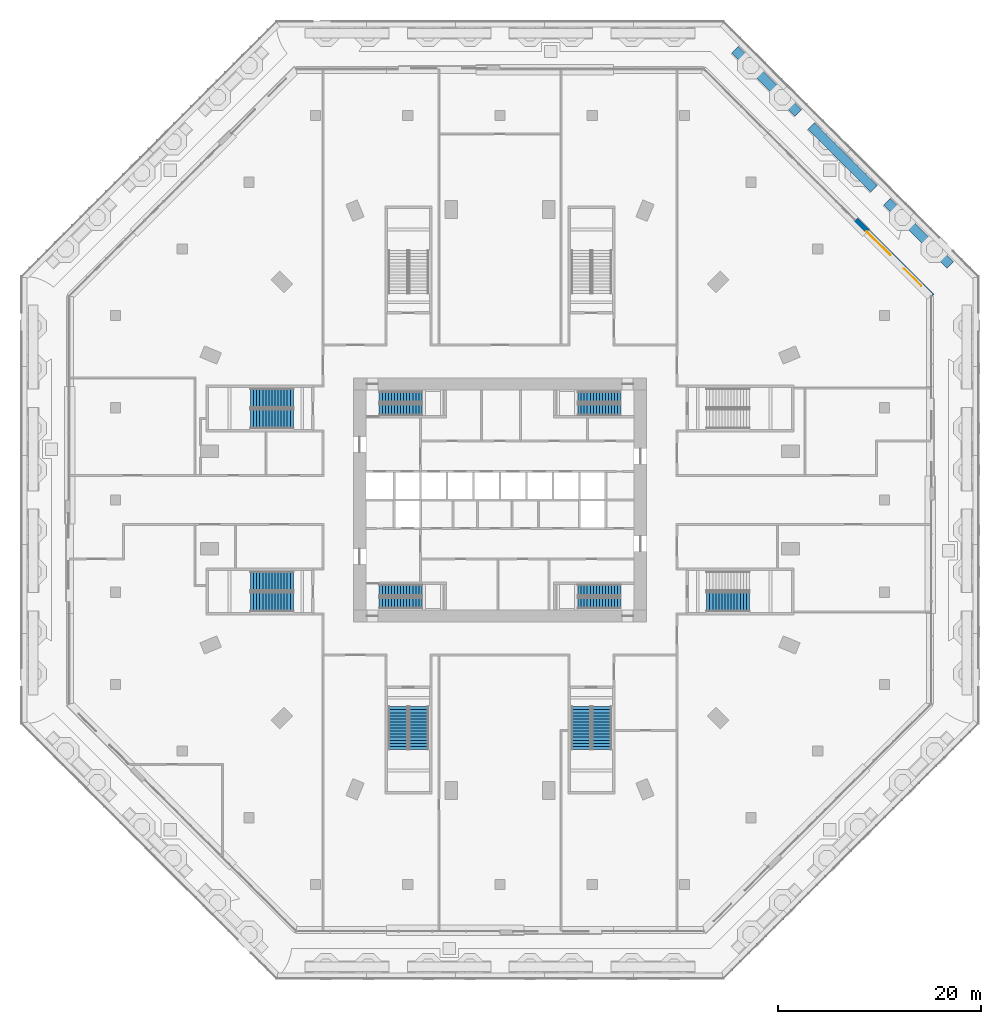
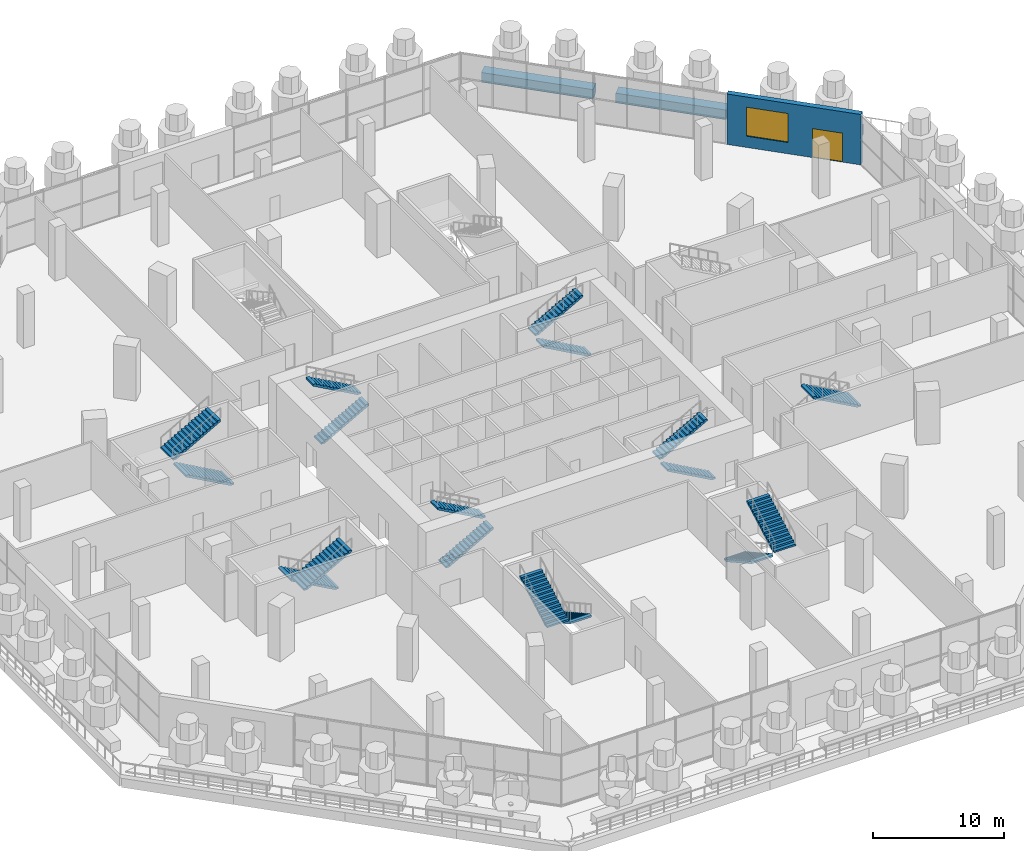
# One storey, part 27 of 32: 17 stair flights, 4 walls, 1 door, 1 window, 2 openings, 9 elements without a shape of their own.
"""IFC4 building model written with IfcOpenShell, lengths in metres."""

from ifc_helpers import new_model, si_unit, direction, frame, frame_2d, origin, place, context, subcontext, project, spatial, polyline, rectangle, outline, extrude, material, layer, layer_set, type_object, element, fill, aggregate, save


model = new_model("IFC4")

# Units and contexts
model_context = context("Model", 3, precision=1e-05, world=origin(), true_north=direction((0.0, 1.0)))
body_context = subcontext(model_context, "Body", "Model", "MODEL_VIEW")
ifc_project = project(units=[si_unit("LENGTHUNIT", "METRE"), si_unit("AREAUNIT", "SQUARE_METRE"), si_unit("VOLUMEUNIT", "CUBIC_METRE"), si_unit("PLANEANGLEUNIT", "RADIAN"), si_unit("MASSUNIT", "GRAM", prefix="KILO")], contexts=[model_context])

# Site, building, storey
site_placement = place(None, origin())
site = spatial("IfcSite", under=ifc_project, at=site_placement, CompositionType="ELEMENT")
building_placement = place(site_placement, origin())
building = spatial("IfcBuilding", under=site, at=building_placement, Name="Msitu Wima Residences", CompositionType="ELEMENT")
storey_placement = place(building_placement, frame((0.0, 0.0, 6.0)))
storey = spatial("IfcBuildingStorey", under=building, at=storey_placement, Name="L01", CompositionType="ELEMENT", Elevation=6.0)

# Wall, openings, door, window
ifc_material_1 = material(Name="Brick (red buff mix), cavity wall of two leaves", Category="masonry")
ifc_layer_1 = layer(ifc_material_1, 0.449951171875)
ifc_layer_set_1 = layer_set([ifc_layer_1], Name="Brick (red buff mix), cavity wall of two leaves")
wall_type_1 = type_object("IfcWallType", Name="Brick infill wall BW450 podium", PredefinedType="ELEMENTEDWALL", material=ifc_layer_set_1)
wall_1_placement = place(storey_placement, frame((42.52490234375, 20.0849609375, 0.0), z_axis=(0.0, 0.0, 1.0), x_axis=(-0.707106781187, 0.707106781187, 0.0)))
wall_1 = element("IfcWall", 1, at=wall_1_placement, inside=storey, type_object=wall_type_1, Name="Brick infill wall L01 NE0", PredefinedType="ELEMENTEDWALL", context=body_context, shape_type="SweptSolid", body=[
    extrude(rectangle(XDim=10.609375, YDim=0.449951171875, at=frame_2d((5.3046875, 0.0))), origin(), (0.0, 0.0, 1.0), 4.699951171875),
])
opening_1_placement = place(wall_1_placement, frame((1.452392578125, 0.0, 0.0)))
opening_1 = element("IfcOpeningElement", 2, at=opening_1_placement, cuts=wall_1, Name="Opening D01.003", PredefinedType="OPENING", context=body_context, shape_type="SweptSolid", body=[
    extrude(rectangle(XDim=2.39990234375, YDim=2.699951171875, at=frame_2d((1.199951171875, 1.35009765625))), frame((0.0, 0.23486328125, 0.0), z_axis=(0.0, -1.0, 0.0), x_axis=(1.0, 0.0, 0.0)), (0.0, 0.0, 1.0), 0.469970703125),
])
opening_2_placement = place(wall_1_placement, frame((5.754638671875, 0.0, 1.050048828125)))
opening_2 = element("IfcOpeningElement", 3, at=opening_2_placement, cuts=wall_1, Name="Opening W01.003", PredefinedType="OPENING", context=body_context, shape_type="SweptSolid", body=[
    extrude(rectangle(XDim=3.300048828125, YDim=2.699951171875, at=frame_2d((1.64990234375, 1.35009765625))), frame((0.0, 0.23486328125, 0.0), z_axis=(0.0, -1.0, 0.0), x_axis=(1.0, 0.0, 0.0)), (0.0, 0.0, 1.0), 0.469970703125),
])
ifc_material_2 = material(Name="Anodised aluminium, bronze finish, clear low-emissivity double glazing", Category="aluminium")
door_type = type_object("IfcDoorType", Name="Balcony door D2400x2700", OperationType="SLIDING_TO_LEFT", PredefinedType="DOOR", material=ifc_material_2)
door_placement = place(opening_1_placement, origin())
door = element("IfcDoor", 4, at=door_placement, inside=storey, type_object=door_type, Name="Terrace door L01 NE0", OperationType="SINGLE_SWING_LEFT", OverallHeight=2.699951171875, OverallWidth=2.39990234375, PredefinedType="DOOR", context=body_context, shape_type="SweptSolid", body=[
    extrude(rectangle(XDim=2.39990234375, YDim=2.699951171875, at=frame_2d((1.199951171875, 1.35009765625))), frame((0.0, 0.1298828125, 0.0), z_axis=(0.0, -1.0, 0.0), x_axis=(1.0, 0.0, 0.0)), (0.0, 0.0, 1.0), 0.050048828125),
])
fill(opening_1, door)
window_type = type_object("IfcWindowType", Name="Window W3300x2700", PartitioningType="DOUBLE_PANEL_VERTICAL", PredefinedType="WINDOW", material=ifc_material_2)
window_placement = place(opening_2_placement, origin())
window = element("IfcWindow", 5, at=window_placement, inside=storey, type_object=window_type, Name="Window L01 NE0.2", OverallHeight=2.699951171875, OverallWidth=3.300048828125, PartitioningType="SINGLE_PANEL", PredefinedType="WINDOW", context=body_context, shape_type="SweptSolid", body=[
    extrude(rectangle(XDim=3.300048828125, YDim=2.699951171875, at=frame_2d((1.64990234375, 1.35009765625))), frame((0.0, 0.135009765625, 0.0), z_axis=(0.0, -1.0, 0.0), x_axis=(1.0, 0.0, 0.0)), (0.0, 0.0, 1.0), 0.06005859375),
])
fill(opening_2, window)

# Walls
ifc_material_3 = material(Name="Facing brick")
ifc_layer_2 = layer(ifc_material_3, 0.06494140625, Name="Facing brick")
ifc_material_4 = material(Name="Concrete C40/50", Category="concrete")
ifc_layer_3 = layer(ifc_material_4, 0.381103515625, Name="Concrete C40/50")
ifc_material_5 = material(Name="Waterproofing membrane")
ifc_layer_4 = layer(ifc_material_5, 0.00390625, Name="Waterproofing membrane")
ifc_material_6 = material(Name="Planting soil and planting")
ifc_layer_5 = layer(ifc_material_6, 0.449951171875, Name="Planting soil and planting")
ifc_layer_set_2 = layer_set([ifc_layer_2, ifc_layer_3, ifc_layer_4, ifc_layer_5], Name="Concrete C40/50")
wall_type_2 = type_object("IfcWallType", Name="Terrace planter PLANTER PL900", PredefinedType="USERDEFINED", material=ifc_layer_set_2)
wall_2_placement = place(storey_placement, frame((44.275146484375, 23.10791015625, 0.0), z_axis=(0.0, 0.0, 1.0), x_axis=(-0.707106781187, 0.707106781187, 0.0)))
element("IfcWall", 6, at=wall_2_placement, inside=storey, type_object=wall_type_2, Name="Terrace planter L01 NE0", ObjectType="PLANTER", PredefinedType="USERDEFINED", context=body_context, shape_type="SweptSolid", body=[
    extrude(rectangle(XDim=8.8095703125, YDim=0.89990234375, at=frame_2d((4.40478515625, 0.0))), origin(), (0.0, 0.0, 1.0), 0.89990234375),
])
wall_3_placement = place(storey_placement, frame((36.773193359375, 30.60986328125, 0.0), z_axis=(0.0, 0.0, 1.0), x_axis=(-0.707106781187, 0.707106781187, 0.0)))
element("IfcWall", 7, at=wall_3_placement, inside=storey, type_object=wall_type_2, Name="Terrace planter L01 NE1", ObjectType="PLANTER", PredefinedType="USERDEFINED", context=body_context, shape_type="SweptSolid", body=[
    extrude(rectangle(XDim=8.71630859375, YDim=0.89990234375, at=frame_2d((4.358154296875, 0.0))), origin(), (0.0, 0.0, 1.0), 0.89990234375),
])
wall_4_placement = place(storey_placement, frame((29.337158203125, 38.0458984375, 0.0), z_axis=(0.0, 0.0, 1.0), x_axis=(-0.707106781187, 0.707106781187, 0.0)))
element("IfcWall", 8, at=wall_4_placement, inside=storey, type_object=wall_type_2, Name="Terrace planter L01 NE2", ObjectType="PLANTER", PredefinedType="USERDEFINED", context=body_context, shape_type="SweptSolid", body=[
    extrude(rectangle(XDim=8.8095703125, YDim=0.89990234375, at=frame_2d((4.40478515625, 0.0))), origin(), (0.0, 0.0, 1.0), 0.89990234375),
])

# Stair, stair flights
stair_type_1 = type_object("IfcStairType", Name="Exit stair ES1667-110", PredefinedType="HALF_TURN_STAIR", material=ifc_material_4)
stair_1_placement = place(storey_placement, origin())
stair_1 = element("IfcStair", 9, at=stair_1_placement, inside=storey, type_object=stair_type_1, Name="Exit stair 1", PredefinedType="HALF_TURN_STAIR")
stair_flight_type_1 = type_object("IfcStairFlightType", Name="Exit stair flight ES1667-110", PredefinedType="STRAIGHT", material=ifc_material_4)
stair_flight_1_placement = place(storey_placement, frame((-11.875, 8.875, 0.0), z_axis=(0.0, 0.0, 1.0), x_axis=(1.0, 0.0, 0.0)))
stair_flight_1 = element("IfcStairFlight", 10, at=stair_flight_1_placement, type_object=stair_flight_type_1, Name="S1 flight 1", NumberOfRisers=15, NumberOfTreads=14, PredefinedType="STRAIGHT", RiserHeight=0.166666667, TreadLength=0.3, context=body_context, shape_type="SweptSolid", body=[
    extrude(outline(polyline([(0.0, 0.0), (0.0, 0.166748046875), (0.300048828125, 0.166748046875), (0.300048828125, 0.333251953125), (0.60009765625, 0.333251953125), (0.60009765625, 0.5), (0.89990234375, 0.5), (0.89990234375, 0.666748046875), (1.199951171875, 0.666748046875), (1.199951171875, 0.833251953125), (1.5, 0.833251953125), (1.5, 1.0), (1.800048828125, 1.0), (1.800048828125, 1.166748046875), (2.10009765625, 1.166748046875), (2.10009765625, 1.333251953125), (2.39990234375, 1.333251953125), (2.39990234375, 1.5), (2.699951171875, 1.5), (2.699951171875, 1.666748046875), (3.0, 1.666748046875), (3.0, 1.833251953125), (3.300048828125, 1.833251953125), (3.300048828125, 2.0), (3.60009765625, 2.0), (3.60009765625, 2.166748046875), (3.89990234375, 2.166748046875), (3.89990234375, 2.333251953125), (4.199951171875, 2.333251953125), (4.199951171875, 2.5), (4.199951171875, 2.161865234375), (0.30859375, 0.0), (0.0, 0.0)])), frame((0.0, 0.550048828125, 0.0), z_axis=(0.0, -1.0, 0.0), x_axis=(1.0, 0.0, 0.0)), (0.0, 0.0, 1.0), 1.10009765625),
])
stair_flight_2_placement = place(storey_placement, frame((-7.675048828125, 10.125, 2.5), z_axis=(0.0, 0.0, 1.0), x_axis=(-1.0, 0.0, 0.0)))
stair_flight_2 = element("IfcStairFlight", 11, at=stair_flight_2_placement, type_object=stair_flight_type_1, Name="S1 flight 2", NumberOfRisers=15, NumberOfTreads=14, PredefinedType="STRAIGHT", RiserHeight=0.166666667, TreadLength=0.3, context=body_context, shape_type="SweptSolid", body=[
    extrude(outline(polyline([(0.0, 0.0), (0.0, 0.166748046875), (0.300048828125, 0.166748046875), (0.300048828125, 0.333251953125), (0.60009765625, 0.333251953125), (0.60009765625, 0.5), (0.89990234375, 0.5), (0.89990234375, 0.666748046875), (1.199951171875, 0.666748046875), (1.199951171875, 0.833251953125), (1.5, 0.833251953125), (1.5, 1.0), (1.800048828125, 1.0), (1.800048828125, 1.166748046875), (2.10009765625, 1.166748046875), (2.10009765625, 1.333251953125), (2.39990234375, 1.333251953125), (2.39990234375, 1.5), (2.699951171875, 1.5), (2.699951171875, 1.666748046875), (3.0, 1.666748046875), (3.0, 1.833251953125), (3.300048828125, 1.833251953125), (3.300048828125, 2.0), (3.60009765625, 2.0), (3.60009765625, 2.166748046875), (3.89990234375, 2.166748046875), (3.89990234375, 2.333251953125), (4.199951171875, 2.333251953125), (4.199951171875, 2.5), (4.199951171875, 2.161865234375), (0.30859375, 0.0), (0.0, 0.0)])), frame((0.0, 0.550048828125, 0.0), z_axis=(0.0, -1.0, 0.0), x_axis=(1.0, 0.0, 0.0)), (0.0, 0.0, 1.0), 1.10009765625),
])
aggregate(stair_1, [stair_flight_1, stair_flight_2])

stair_2_placement = place(storey_placement, origin())
stair_2 = element("IfcStair", 12, at=stair_2_placement, inside=storey, type_object=stair_type_1, Name="Exit stair 2", PredefinedType="HALF_TURN_STAIR")
stair_flight_3_placement = place(storey_placement, frame((-11.875, -10.125, 0.0), z_axis=(0.0, 0.0, 1.0), x_axis=(1.0, 0.0, 0.0)))
stair_flight_3 = element("IfcStairFlight", 13, at=stair_flight_3_placement, type_object=stair_flight_type_1, Name="S2 flight 1", NumberOfRisers=15, NumberOfTreads=14, PredefinedType="STRAIGHT", RiserHeight=0.166666667, TreadLength=0.3, context=body_context, shape_type="SweptSolid", body=[
    extrude(outline(polyline([(0.0, 0.0), (0.0, 0.166748046875), (0.300048828125, 0.166748046875), (0.300048828125, 0.333251953125), (0.60009765625, 0.333251953125), (0.60009765625, 0.5), (0.89990234375, 0.5), (0.89990234375, 0.666748046875), (1.199951171875, 0.666748046875), (1.199951171875, 0.833251953125), (1.5, 0.833251953125), (1.5, 1.0), (1.800048828125, 1.0), (1.800048828125, 1.166748046875), (2.10009765625, 1.166748046875), (2.10009765625, 1.333251953125), (2.39990234375, 1.333251953125), (2.39990234375, 1.5), (2.699951171875, 1.5), (2.699951171875, 1.666748046875), (3.0, 1.666748046875), (3.0, 1.833251953125), (3.300048828125, 1.833251953125), (3.300048828125, 2.0), (3.60009765625, 2.0), (3.60009765625, 2.166748046875), (3.89990234375, 2.166748046875), (3.89990234375, 2.333251953125), (4.199951171875, 2.333251953125), (4.199951171875, 2.5), (4.199951171875, 2.161865234375), (0.30859375, 0.0), (0.0, 0.0)])), frame((0.0, 0.550048828125, 0.0), z_axis=(0.0, -1.0, 0.0), x_axis=(1.0, 0.0, 0.0)), (0.0, 0.0, 1.0), 1.10009765625),
])
stair_flight_4_placement = place(storey_placement, frame((-7.675048828125, -8.875, 2.5), z_axis=(0.0, 0.0, 1.0), x_axis=(-1.0, 0.0, 0.0)))
stair_flight_4 = element("IfcStairFlight", 14, at=stair_flight_4_placement, type_object=stair_flight_type_1, Name="S2 flight 2", NumberOfRisers=15, NumberOfTreads=14, PredefinedType="STRAIGHT", RiserHeight=0.166666667, TreadLength=0.3, context=body_context, shape_type="SweptSolid", body=[
    extrude(outline(polyline([(0.0, 0.0), (0.0, 0.166748046875), (0.300048828125, 0.166748046875), (0.300048828125, 0.333251953125), (0.60009765625, 0.333251953125), (0.60009765625, 0.5), (0.89990234375, 0.5), (0.89990234375, 0.666748046875), (1.199951171875, 0.666748046875), (1.199951171875, 0.833251953125), (1.5, 0.833251953125), (1.5, 1.0), (1.800048828125, 1.0), (1.800048828125, 1.166748046875), (2.10009765625, 1.166748046875), (2.10009765625, 1.333251953125), (2.39990234375, 1.333251953125), (2.39990234375, 1.5), (2.699951171875, 1.5), (2.699951171875, 1.666748046875), (3.0, 1.666748046875), (3.0, 1.833251953125), (3.300048828125, 1.833251953125), (3.300048828125, 2.0), (3.60009765625, 2.0), (3.60009765625, 2.166748046875), (3.89990234375, 2.166748046875), (3.89990234375, 2.333251953125), (4.199951171875, 2.333251953125), (4.199951171875, 2.5), (4.199951171875, 2.161865234375), (0.30859375, 0.0), (0.0, 0.0)])), frame((0.0, 0.550048828125, 0.0), z_axis=(0.0, -1.0, 0.0), x_axis=(1.0, 0.0, 0.0)), (0.0, 0.0, 1.0), 1.10009765625),
])
aggregate(stair_2, [stair_flight_3, stair_flight_4])

stair_3_placement = place(storey_placement, origin())
stair_3 = element("IfcStair", 15, at=stair_3_placement, inside=storey, type_object=stair_type_1, Name="Exit stair 3", PredefinedType="HALF_TURN_STAIR")
stair_flight_5_placement = place(storey_placement, frame((11.875, 8.875, 0.0), z_axis=(0.0, 0.0, 1.0), x_axis=(-1.0, 0.0, 0.0)))
stair_flight_5 = element("IfcStairFlight", 16, at=stair_flight_5_placement, type_object=stair_flight_type_1, Name="S3 flight 1", NumberOfRisers=15, NumberOfTreads=14, PredefinedType="STRAIGHT", RiserHeight=0.166666667, TreadLength=0.3, context=body_context, shape_type="SweptSolid", body=[
    extrude(outline(polyline([(0.0, 0.0), (0.0, 0.166748046875), (0.300048828125, 0.166748046875), (0.300048828125, 0.333251953125), (0.60009765625, 0.333251953125), (0.60009765625, 0.5), (0.89990234375, 0.5), (0.89990234375, 0.666748046875), (1.199951171875, 0.666748046875), (1.199951171875, 0.833251953125), (1.5, 0.833251953125), (1.5, 1.0), (1.800048828125, 1.0), (1.800048828125, 1.166748046875), (2.10009765625, 1.166748046875), (2.10009765625, 1.333251953125), (2.39990234375, 1.333251953125), (2.39990234375, 1.5), (2.699951171875, 1.5), (2.699951171875, 1.666748046875), (3.0, 1.666748046875), (3.0, 1.833251953125), (3.300048828125, 1.833251953125), (3.300048828125, 2.0), (3.60009765625, 2.0), (3.60009765625, 2.166748046875), (3.89990234375, 2.166748046875), (3.89990234375, 2.333251953125), (4.199951171875, 2.333251953125), (4.199951171875, 2.5), (4.199951171875, 2.161865234375), (0.30859375, 0.0), (0.0, 0.0)])), frame((0.0, 0.550048828125, 0.0), z_axis=(0.0, -1.0, 0.0), x_axis=(1.0, 0.0, 0.0)), (0.0, 0.0, 1.0), 1.10009765625),
])
stair_flight_6_placement = place(storey_placement, frame((7.675048828125, 10.125, 2.5), z_axis=(0.0, 0.0, 1.0), x_axis=(1.0, 0.0, 0.0)))
stair_flight_6 = element("IfcStairFlight", 17, at=stair_flight_6_placement, type_object=stair_flight_type_1, Name="S3 flight 2", NumberOfRisers=15, NumberOfTreads=14, PredefinedType="STRAIGHT", RiserHeight=0.166666667, TreadLength=0.3, context=body_context, shape_type="SweptSolid", body=[
    extrude(outline(polyline([(0.0, 0.0), (0.0, 0.166748046875), (0.300048828125, 0.166748046875), (0.300048828125, 0.333251953125), (0.60009765625, 0.333251953125), (0.60009765625, 0.5), (0.89990234375, 0.5), (0.89990234375, 0.666748046875), (1.199951171875, 0.666748046875), (1.199951171875, 0.833251953125), (1.5, 0.833251953125), (1.5, 1.0), (1.800048828125, 1.0), (1.800048828125, 1.166748046875), (2.10009765625, 1.166748046875), (2.10009765625, 1.333251953125), (2.39990234375, 1.333251953125), (2.39990234375, 1.5), (2.699951171875, 1.5), (2.699951171875, 1.666748046875), (3.0, 1.666748046875), (3.0, 1.833251953125), (3.300048828125, 1.833251953125), (3.300048828125, 2.0), (3.60009765625, 2.0), (3.60009765625, 2.166748046875), (3.89990234375, 2.166748046875), (3.89990234375, 2.333251953125), (4.199951171875, 2.333251953125), (4.199951171875, 2.5), (4.199951171875, 2.161865234375), (0.30859375, 0.0), (0.0, 0.0)])), frame((0.0, 0.550048828125, 0.0), z_axis=(0.0, -1.0, 0.0), x_axis=(1.0, 0.0, 0.0)), (0.0, 0.0, 1.0), 1.10009765625),
])
aggregate(stair_3, [stair_flight_5, stair_flight_6])

stair_4_placement = place(storey_placement, origin())
stair_4 = element("IfcStair", 18, at=stair_4_placement, inside=storey, type_object=stair_type_1, Name="Exit stair 4", PredefinedType="HALF_TURN_STAIR")
stair_flight_7_placement = place(storey_placement, frame((11.875, -10.125, 0.0), z_axis=(0.0, 0.0, 1.0), x_axis=(-1.0, 0.0, 0.0)))
stair_flight_7 = element("IfcStairFlight", 19, at=stair_flight_7_placement, type_object=stair_flight_type_1, Name="S4 flight 1", NumberOfRisers=15, NumberOfTreads=14, PredefinedType="STRAIGHT", RiserHeight=0.166666667, TreadLength=0.3, context=body_context, shape_type="SweptSolid", body=[
    extrude(outline(polyline([(0.0, 0.0), (0.0, 0.166748046875), (0.300048828125, 0.166748046875), (0.300048828125, 0.333251953125), (0.60009765625, 0.333251953125), (0.60009765625, 0.5), (0.89990234375, 0.5), (0.89990234375, 0.666748046875), (1.199951171875, 0.666748046875), (1.199951171875, 0.833251953125), (1.5, 0.833251953125), (1.5, 1.0), (1.800048828125, 1.0), (1.800048828125, 1.166748046875), (2.10009765625, 1.166748046875), (2.10009765625, 1.333251953125), (2.39990234375, 1.333251953125), (2.39990234375, 1.5), (2.699951171875, 1.5), (2.699951171875, 1.666748046875), (3.0, 1.666748046875), (3.0, 1.833251953125), (3.300048828125, 1.833251953125), (3.300048828125, 2.0), (3.60009765625, 2.0), (3.60009765625, 2.166748046875), (3.89990234375, 2.166748046875), (3.89990234375, 2.333251953125), (4.199951171875, 2.333251953125), (4.199951171875, 2.5), (4.199951171875, 2.161865234375), (0.30859375, 0.0), (0.0, 0.0)])), frame((0.0, 0.550048828125, 0.0), z_axis=(0.0, -1.0, 0.0), x_axis=(1.0, 0.0, 0.0)), (0.0, 0.0, 1.0), 1.10009765625),
])
stair_flight_8_placement = place(storey_placement, frame((7.675048828125, -8.875, 2.5), z_axis=(0.0, 0.0, 1.0), x_axis=(1.0, 0.0, 0.0)))
stair_flight_8 = element("IfcStairFlight", 20, at=stair_flight_8_placement, type_object=stair_flight_type_1, Name="S4 flight 2", NumberOfRisers=15, NumberOfTreads=14, PredefinedType="STRAIGHT", RiserHeight=0.166666667, TreadLength=0.3, context=body_context, shape_type="SweptSolid", body=[
    extrude(outline(polyline([(0.0, 0.0), (0.0, 0.166748046875), (0.300048828125, 0.166748046875), (0.300048828125, 0.333251953125), (0.60009765625, 0.333251953125), (0.60009765625, 0.5), (0.89990234375, 0.5), (0.89990234375, 0.666748046875), (1.199951171875, 0.666748046875), (1.199951171875, 0.833251953125), (1.5, 0.833251953125), (1.5, 1.0), (1.800048828125, 1.0), (1.800048828125, 1.166748046875), (2.10009765625, 1.166748046875), (2.10009765625, 1.333251953125), (2.39990234375, 1.333251953125), (2.39990234375, 1.5), (2.699951171875, 1.5), (2.699951171875, 1.666748046875), (3.0, 1.666748046875), (3.0, 1.833251953125), (3.300048828125, 1.833251953125), (3.300048828125, 2.0), (3.60009765625, 2.0), (3.60009765625, 2.166748046875), (3.89990234375, 2.166748046875), (3.89990234375, 2.333251953125), (4.199951171875, 2.333251953125), (4.199951171875, 2.5), (4.199951171875, 2.161865234375), (0.30859375, 0.0), (0.0, 0.0)])), frame((0.0, 0.550048828125, 0.0), z_axis=(0.0, -1.0, 0.0), x_axis=(1.0, 0.0, 0.0)), (0.0, 0.0, 1.0), 1.10009765625),
])
aggregate(stair_4, [stair_flight_7, stair_flight_8])

# Stair, stair flight
stair_type_2 = type_object("IfcStairType", Name="Podium exit stair PX1667-190", PredefinedType="HALF_TURN_STAIR", material=ifc_material_4)
stair_5_placement = place(storey_placement, origin())
stair_5 = element("IfcStair", 21, at=stair_5_placement, inside=storey, type_object=stair_type_2, Name="Podium exit stair 2", PredefinedType="HALF_TURN_STAIR")
stair_flight_type_2 = type_object("IfcStairFlightType", Name="Podium exit stair flight PX1667-190", PredefinedType="STRAIGHT", material=ifc_material_4)
stair_flight_9_placement = place(storey_placement, frame((24.52490234375, -10.0, 2.5), z_axis=(0.0, 0.0, 1.0), x_axis=(-1.0, 0.0, 0.0)))
stair_flight_9 = element("IfcStairFlight", 22, at=stair_flight_9_placement, type_object=stair_flight_type_2, Name="PS2 flight 2", NumberOfRisers=15, NumberOfTreads=14, PredefinedType="STRAIGHT", RiserHeight=0.166666667, TreadLength=0.3, context=body_context, shape_type="SweptSolid", body=[
    extrude(outline(polyline([(0.0, 0.0), (0.0, 0.166748046875), (0.300048828125, 0.166748046875), (0.300048828125, 0.333251953125), (0.60009765625, 0.333251953125), (0.60009765625, 0.5), (0.89990234375, 0.5), (0.89990234375, 0.666748046875), (1.199951171875, 0.666748046875), (1.199951171875, 0.833251953125), (1.5, 0.833251953125), (1.5, 1.0), (1.800048828125, 1.0), (1.800048828125, 1.166748046875), (2.10009765625, 1.166748046875), (2.10009765625, 1.333251953125), (2.39990234375, 1.333251953125), (2.39990234375, 1.5), (2.699951171875, 1.5), (2.699951171875, 1.666748046875), (3.0, 1.666748046875), (3.0, 1.833251953125), (3.300048828125, 1.833251953125), (3.300048828125, 2.0), (3.60009765625, 2.0), (3.60009765625, 2.166748046875), (3.89990234375, 2.166748046875), (3.89990234375, 2.333251953125), (4.199951171875, 2.333251953125), (4.199951171875, 2.5), (4.199951171875, 2.161865234375), (0.30859375, 0.0), (0.0, 0.0)])), frame((0.0, 0.949951171875, 0.0), z_axis=(0.0, -1.0, 0.0), x_axis=(1.0, 0.0, 0.0)), (0.0, 0.0, 1.0), 1.89990234375),
])
aggregate(stair_5, [stair_flight_9])

# Stair, stair flights
stair_6_placement = place(storey_placement, origin())
stair_6 = element("IfcStair", 23, at=stair_6_placement, inside=storey, type_object=stair_type_2, Name="Podium exit stair 5", PredefinedType="HALF_TURN_STAIR")
stair_flight_10_placement = place(storey_placement, frame((-20.324951171875, -8.0, 0.0), z_axis=(0.0, 0.0, 1.0), x_axis=(-1.0, 0.0, 0.0)))
stair_flight_10 = element("IfcStairFlight", 24, at=stair_flight_10_placement, type_object=stair_flight_type_2, Name="PS5 flight 1", NumberOfRisers=15, NumberOfTreads=14, PredefinedType="STRAIGHT", RiserHeight=0.166666667, TreadLength=0.3, context=body_context, shape_type="SweptSolid", body=[
    extrude(outline(polyline([(0.0, 0.0), (0.0, 0.166748046875), (0.300048828125, 0.166748046875), (0.300048828125, 0.333251953125), (0.60009765625, 0.333251953125), (0.60009765625, 0.5), (0.89990234375, 0.5), (0.89990234375, 0.666748046875), (1.199951171875, 0.666748046875), (1.199951171875, 0.833251953125), (1.5, 0.833251953125), (1.5, 1.0), (1.800048828125, 1.0), (1.800048828125, 1.166748046875), (2.10009765625, 1.166748046875), (2.10009765625, 1.333251953125), (2.39990234375, 1.333251953125), (2.39990234375, 1.5), (2.699951171875, 1.5), (2.699951171875, 1.666748046875), (3.0, 1.666748046875), (3.0, 1.833251953125), (3.300048828125, 1.833251953125), (3.300048828125, 2.0), (3.60009765625, 2.0), (3.60009765625, 2.166748046875), (3.89990234375, 2.166748046875), (3.89990234375, 2.333251953125), (4.199951171875, 2.333251953125), (4.199951171875, 2.5), (4.199951171875, 2.161865234375), (0.30859375, 0.0), (0.0, 0.0)])), frame((0.0, 0.949951171875, 0.0), z_axis=(0.0, -1.0, 0.0), x_axis=(1.0, 0.0, 0.0)), (0.0, 0.0, 1.0), 1.89990234375),
])
stair_flight_11_placement = place(storey_placement, frame((-24.52490234375, -10.0, 2.5), z_axis=(0.0, 0.0, 1.0), x_axis=(1.0, 0.0, 0.0)))
stair_flight_11 = element("IfcStairFlight", 25, at=stair_flight_11_placement, type_object=stair_flight_type_2, Name="PS5 flight 2", NumberOfRisers=15, NumberOfTreads=14, PredefinedType="STRAIGHT", RiserHeight=0.166666667, TreadLength=0.3, context=body_context, shape_type="SweptSolid", body=[
    extrude(outline(polyline([(0.0, 0.0), (0.0, 0.166748046875), (0.300048828125, 0.166748046875), (0.300048828125, 0.333251953125), (0.60009765625, 0.333251953125), (0.60009765625, 0.5), (0.89990234375, 0.5), (0.89990234375, 0.666748046875), (1.199951171875, 0.666748046875), (1.199951171875, 0.833251953125), (1.5, 0.833251953125), (1.5, 1.0), (1.800048828125, 1.0), (1.800048828125, 1.166748046875), (2.10009765625, 1.166748046875), (2.10009765625, 1.333251953125), (2.39990234375, 1.333251953125), (2.39990234375, 1.5), (2.699951171875, 1.5), (2.699951171875, 1.666748046875), (3.0, 1.666748046875), (3.0, 1.833251953125), (3.300048828125, 1.833251953125), (3.300048828125, 2.0), (3.60009765625, 2.0), (3.60009765625, 2.166748046875), (3.89990234375, 2.166748046875), (3.89990234375, 2.333251953125), (4.199951171875, 2.333251953125), (4.199951171875, 2.5), (4.199951171875, 2.161865234375), (0.30859375, 0.0), (0.0, 0.0)])), frame((0.0, 0.949951171875, 0.0), z_axis=(0.0, -1.0, 0.0), x_axis=(1.0, 0.0, 0.0)), (0.0, 0.0, 1.0), 1.89990234375),
])
aggregate(stair_6, [stair_flight_10, stair_flight_11])

stair_7_placement = place(storey_placement, origin())
stair_7 = element("IfcStair", 26, at=stair_7_placement, inside=storey, type_object=stair_type_2, Name="Podium exit stair 6", PredefinedType="HALF_TURN_STAIR")
stair_flight_12_placement = place(storey_placement, frame((-20.324951171875, 8.0, 0.0), z_axis=(0.0, 0.0, 1.0), x_axis=(-1.0, 0.0, 0.0)))
stair_flight_12 = element("IfcStairFlight", 27, at=stair_flight_12_placement, type_object=stair_flight_type_2, Name="PS6 flight 1", NumberOfRisers=15, NumberOfTreads=14, PredefinedType="STRAIGHT", RiserHeight=0.166666667, TreadLength=0.3, context=body_context, shape_type="SweptSolid", body=[
    extrude(outline(polyline([(0.0, 0.0), (0.0, 0.166748046875), (0.300048828125, 0.166748046875), (0.300048828125, 0.333251953125), (0.60009765625, 0.333251953125), (0.60009765625, 0.5), (0.89990234375, 0.5), (0.89990234375, 0.666748046875), (1.199951171875, 0.666748046875), (1.199951171875, 0.833251953125), (1.5, 0.833251953125), (1.5, 1.0), (1.800048828125, 1.0), (1.800048828125, 1.166748046875), (2.10009765625, 1.166748046875), (2.10009765625, 1.333251953125), (2.39990234375, 1.333251953125), (2.39990234375, 1.5), (2.699951171875, 1.5), (2.699951171875, 1.666748046875), (3.0, 1.666748046875), (3.0, 1.833251953125), (3.300048828125, 1.833251953125), (3.300048828125, 2.0), (3.60009765625, 2.0), (3.60009765625, 2.166748046875), (3.89990234375, 2.166748046875), (3.89990234375, 2.333251953125), (4.199951171875, 2.333251953125), (4.199951171875, 2.5), (4.199951171875, 2.161865234375), (0.30859375, 0.0), (0.0, 0.0)])), frame((0.0, 0.949951171875, 0.0), z_axis=(0.0, -1.0, 0.0), x_axis=(1.0, 0.0, 0.0)), (0.0, 0.0, 1.0), 1.89990234375),
])
stair_flight_13_placement = place(storey_placement, frame((-24.52490234375, 10.0, 2.5), z_axis=(0.0, 0.0, 1.0), x_axis=(1.0, 0.0, 0.0)))
stair_flight_13 = element("IfcStairFlight", 28, at=stair_flight_13_placement, type_object=stair_flight_type_2, Name="PS6 flight 2", NumberOfRisers=15, NumberOfTreads=14, PredefinedType="STRAIGHT", RiserHeight=0.166666667, TreadLength=0.3, context=body_context, shape_type="SweptSolid", body=[
    extrude(outline(polyline([(0.0, 0.0), (0.0, 0.166748046875), (0.300048828125, 0.166748046875), (0.300048828125, 0.333251953125), (0.60009765625, 0.333251953125), (0.60009765625, 0.5), (0.89990234375, 0.5), (0.89990234375, 0.666748046875), (1.199951171875, 0.666748046875), (1.199951171875, 0.833251953125), (1.5, 0.833251953125), (1.5, 1.0), (1.800048828125, 1.0), (1.800048828125, 1.166748046875), (2.10009765625, 1.166748046875), (2.10009765625, 1.333251953125), (2.39990234375, 1.333251953125), (2.39990234375, 1.5), (2.699951171875, 1.5), (2.699951171875, 1.666748046875), (3.0, 1.666748046875), (3.0, 1.833251953125), (3.300048828125, 1.833251953125), (3.300048828125, 2.0), (3.60009765625, 2.0), (3.60009765625, 2.166748046875), (3.89990234375, 2.166748046875), (3.89990234375, 2.333251953125), (4.199951171875, 2.333251953125), (4.199951171875, 2.5), (4.199951171875, 2.161865234375), (0.30859375, 0.0), (0.0, 0.0)])), frame((0.0, 0.949951171875, 0.0), z_axis=(0.0, -1.0, 0.0), x_axis=(1.0, 0.0, 0.0)), (0.0, 0.0, 1.0), 1.89990234375),
])
aggregate(stair_7, [stair_flight_12, stair_flight_13])

stair_8_placement = place(storey_placement, origin())
stair_8 = element("IfcStair", 29, at=stair_8_placement, inside=storey, type_object=stair_type_2, Name="Podium exit stair 7", PredefinedType="HALF_TURN_STAIR")
stair_flight_14_placement = place(storey_placement, frame((8.0, -20.324951171875, 0.0), z_axis=(0.0, 0.0, 1.0), x_axis=(0.0, -1.0, 0.0)))
stair_flight_14 = element("IfcStairFlight", 30, at=stair_flight_14_placement, type_object=stair_flight_type_2, Name="PS7 flight 1", NumberOfRisers=15, NumberOfTreads=14, PredefinedType="STRAIGHT", RiserHeight=0.166666667, TreadLength=0.3, context=body_context, shape_type="SweptSolid", body=[
    extrude(outline(polyline([(0.0, 0.0), (0.0, 0.166748046875), (0.300048828125, 0.166748046875), (0.300048828125, 0.333251953125), (0.60009765625, 0.333251953125), (0.60009765625, 0.5), (0.89990234375, 0.5), (0.89990234375, 0.666748046875), (1.199951171875, 0.666748046875), (1.199951171875, 0.833251953125), (1.5, 0.833251953125), (1.5, 1.0), (1.800048828125, 1.0), (1.800048828125, 1.166748046875), (2.10009765625, 1.166748046875), (2.10009765625, 1.333251953125), (2.39990234375, 1.333251953125), (2.39990234375, 1.5), (2.699951171875, 1.5), (2.699951171875, 1.666748046875), (3.0, 1.666748046875), (3.0, 1.833251953125), (3.300048828125, 1.833251953125), (3.300048828125, 2.0), (3.60009765625, 2.0), (3.60009765625, 2.166748046875), (3.89990234375, 2.166748046875), (3.89990234375, 2.333251953125), (4.199951171875, 2.333251953125), (4.199951171875, 2.5), (4.199951171875, 2.161865234375), (0.30859375, 0.0), (0.0, 0.0)])), frame((0.0, 0.949951171875, 0.0), z_axis=(0.0, -1.0, 0.0), x_axis=(1.0, 0.0, 0.0)), (0.0, 0.0, 1.0), 1.89990234375),
])
stair_flight_15_placement = place(storey_placement, frame((10.0, -24.52490234375, 2.5), z_axis=(0.0, 0.0, 1.0), x_axis=(0.0, 1.0, 0.0)))
stair_flight_15 = element("IfcStairFlight", 31, at=stair_flight_15_placement, type_object=stair_flight_type_2, Name="PS7 flight 2", NumberOfRisers=15, NumberOfTreads=14, PredefinedType="STRAIGHT", RiserHeight=0.166666667, TreadLength=0.3, context=body_context, shape_type="SweptSolid", body=[
    extrude(outline(polyline([(0.0, 0.0), (0.0, 0.166748046875), (0.300048828125, 0.166748046875), (0.300048828125, 0.333251953125), (0.60009765625, 0.333251953125), (0.60009765625, 0.5), (0.89990234375, 0.5), (0.89990234375, 0.666748046875), (1.199951171875, 0.666748046875), (1.199951171875, 0.833251953125), (1.5, 0.833251953125), (1.5, 1.0), (1.800048828125, 1.0), (1.800048828125, 1.166748046875), (2.10009765625, 1.166748046875), (2.10009765625, 1.333251953125), (2.39990234375, 1.333251953125), (2.39990234375, 1.5), (2.699951171875, 1.5), (2.699951171875, 1.666748046875), (3.0, 1.666748046875), (3.0, 1.833251953125), (3.300048828125, 1.833251953125), (3.300048828125, 2.0), (3.60009765625, 2.0), (3.60009765625, 2.166748046875), (3.89990234375, 2.166748046875), (3.89990234375, 2.333251953125), (4.199951171875, 2.333251953125), (4.199951171875, 2.5), (4.199951171875, 2.161865234375), (0.30859375, 0.0), (0.0, 0.0)])), frame((0.0, 0.949951171875, 0.0), z_axis=(0.0, -1.0, 0.0), x_axis=(1.0, 0.0, 0.0)), (0.0, 0.0, 1.0), 1.89990234375),
])
aggregate(stair_8, [stair_flight_14, stair_flight_15])

stair_9_placement = place(storey_placement, origin())
stair_9 = element("IfcStair", 32, at=stair_9_placement, inside=storey, type_object=stair_type_2, Name="Podium exit stair 8", PredefinedType="HALF_TURN_STAIR")
stair_flight_16_placement = place(storey_placement, frame((-8.0, -20.324951171875, 0.0), z_axis=(0.0, 0.0, 1.0), x_axis=(0.0, -1.0, 0.0)))
stair_flight_16 = element("IfcStairFlight", 33, at=stair_flight_16_placement, type_object=stair_flight_type_2, Name="PS8 flight 1", NumberOfRisers=15, NumberOfTreads=14, PredefinedType="STRAIGHT", RiserHeight=0.166666667, TreadLength=0.3, context=body_context, shape_type="SweptSolid", body=[
    extrude(outline(polyline([(0.0, 0.0), (0.0, 0.166748046875), (0.300048828125, 0.166748046875), (0.300048828125, 0.333251953125), (0.60009765625, 0.333251953125), (0.60009765625, 0.5), (0.89990234375, 0.5), (0.89990234375, 0.666748046875), (1.199951171875, 0.666748046875), (1.199951171875, 0.833251953125), (1.5, 0.833251953125), (1.5, 1.0), (1.800048828125, 1.0), (1.800048828125, 1.166748046875), (2.10009765625, 1.166748046875), (2.10009765625, 1.333251953125), (2.39990234375, 1.333251953125), (2.39990234375, 1.5), (2.699951171875, 1.5), (2.699951171875, 1.666748046875), (3.0, 1.666748046875), (3.0, 1.833251953125), (3.300048828125, 1.833251953125), (3.300048828125, 2.0), (3.60009765625, 2.0), (3.60009765625, 2.166748046875), (3.89990234375, 2.166748046875), (3.89990234375, 2.333251953125), (4.199951171875, 2.333251953125), (4.199951171875, 2.5), (4.199951171875, 2.161865234375), (0.30859375, 0.0), (0.0, 0.0)])), frame((0.0, 0.949951171875, 0.0), z_axis=(0.0, -1.0, 0.0), x_axis=(1.0, 0.0, 0.0)), (0.0, 0.0, 1.0), 1.89990234375),
])
stair_flight_17_placement = place(storey_placement, frame((-10.0, -24.52490234375, 2.5), z_axis=(0.0, 0.0, 1.0), x_axis=(0.0, 1.0, 0.0)))
stair_flight_17 = element("IfcStairFlight", 34, at=stair_flight_17_placement, type_object=stair_flight_type_2, Name="PS8 flight 2", NumberOfRisers=15, NumberOfTreads=14, PredefinedType="STRAIGHT", RiserHeight=0.166666667, TreadLength=0.3, context=body_context, shape_type="SweptSolid", body=[
    extrude(outline(polyline([(0.0, 0.0), (0.0, 0.166748046875), (0.300048828125, 0.166748046875), (0.300048828125, 0.333251953125), (0.60009765625, 0.333251953125), (0.60009765625, 0.5), (0.89990234375, 0.5), (0.89990234375, 0.666748046875), (1.199951171875, 0.666748046875), (1.199951171875, 0.833251953125), (1.5, 0.833251953125), (1.5, 1.0), (1.800048828125, 1.0), (1.800048828125, 1.166748046875), (2.10009765625, 1.166748046875), (2.10009765625, 1.333251953125), (2.39990234375, 1.333251953125), (2.39990234375, 1.5), (2.699951171875, 1.5), (2.699951171875, 1.666748046875), (3.0, 1.666748046875), (3.0, 1.833251953125), (3.300048828125, 1.833251953125), (3.300048828125, 2.0), (3.60009765625, 2.0), (3.60009765625, 2.166748046875), (3.89990234375, 2.166748046875), (3.89990234375, 2.333251953125), (4.199951171875, 2.333251953125), (4.199951171875, 2.5), (4.199951171875, 2.161865234375), (0.30859375, 0.0), (0.0, 0.0)])), frame((0.0, 0.949951171875, 0.0), z_axis=(0.0, -1.0, 0.0), x_axis=(1.0, 0.0, 0.0)), (0.0, 0.0, 1.0), 1.89990234375),
])
aggregate(stair_9, [stair_flight_16, stair_flight_17])

save(model, "model.ifc")
